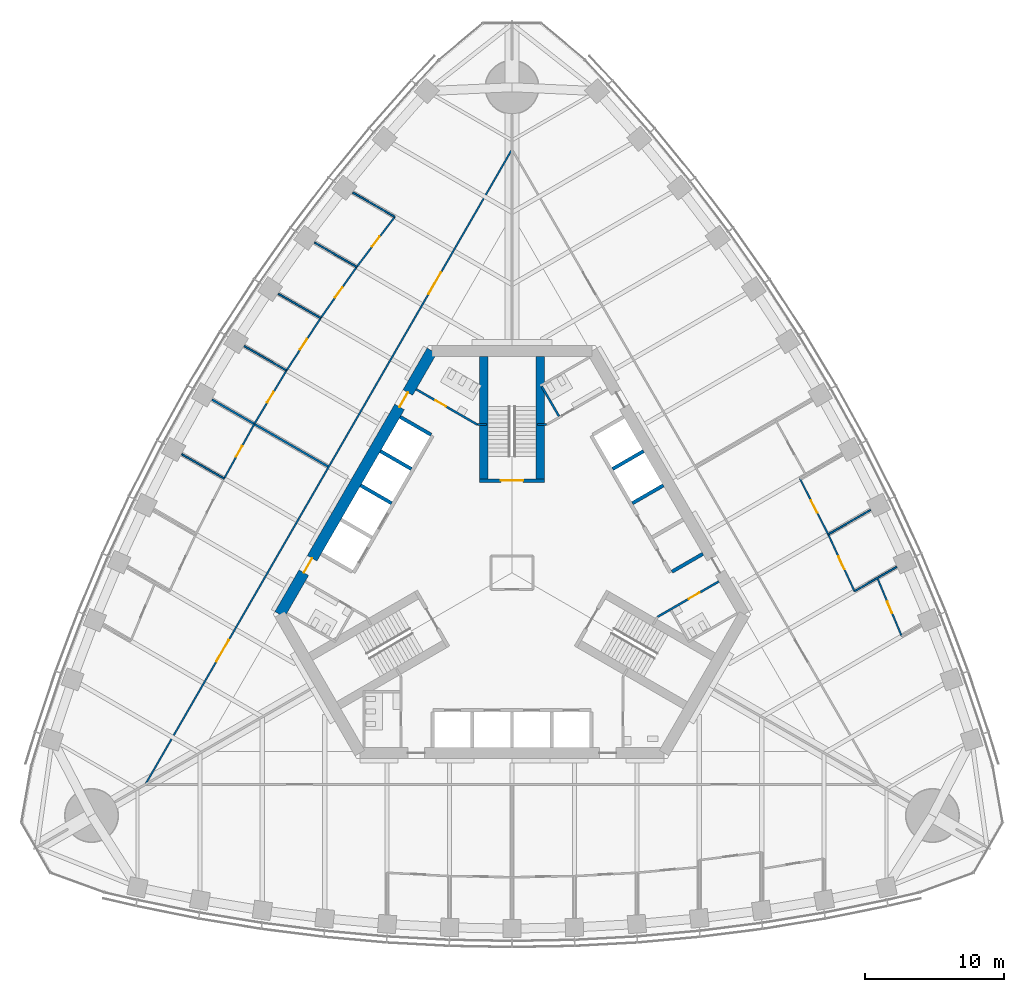
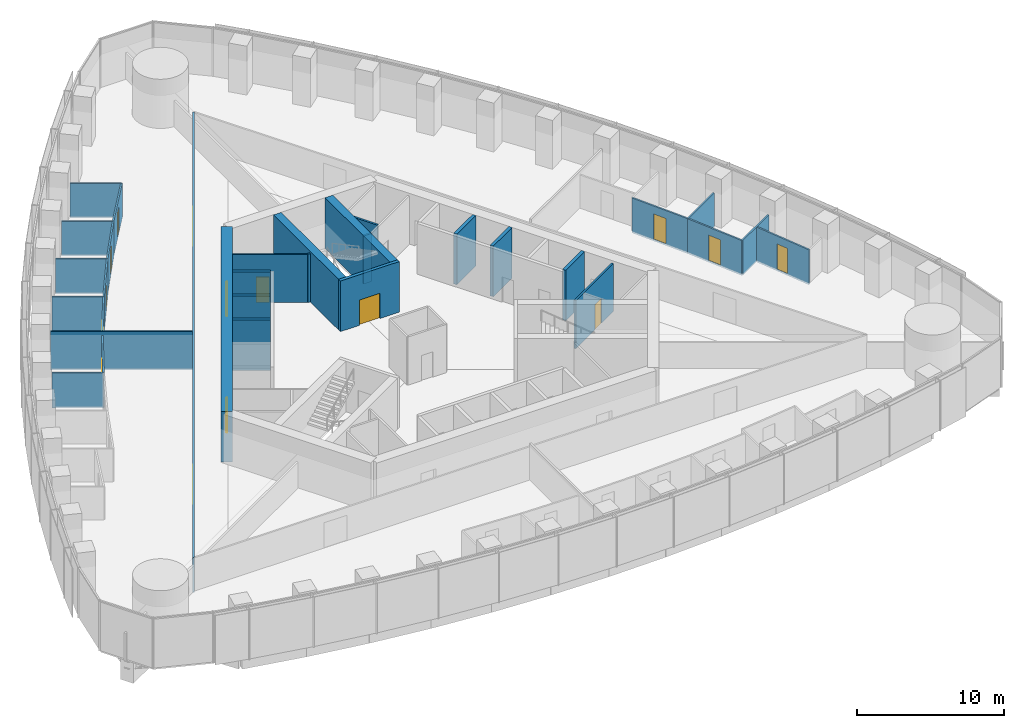
# One storey, part 13 of 19: 32 walls, 15 doors, 15 openings.
"""IFC4 building model written with IfcOpenShell, lengths in metres."""

from ifc_helpers import new_model, si_unit, direction, frame, frame_2d, origin, place, context, subcontext, project, spatial, rectangle, extrude, material, layer, layer_set, type_object, element, fill, save


model = new_model("IFC4")

# Units and contexts
model_context = context("Model", 3, precision=1e-05, world=origin(), true_north=direction((0.0, 1.0)))
body_context = subcontext(model_context, "Body", "Model", "MODEL_VIEW")
ifc_project = project(units=[si_unit("LENGTHUNIT", "METRE"), si_unit("AREAUNIT", "SQUARE_METRE"), si_unit("VOLUMEUNIT", "CUBIC_METRE"), si_unit("PLANEANGLEUNIT", "RADIAN"), si_unit("MASSUNIT", "GRAM", prefix="KILO")], contexts=[model_context])

# Site, building, storey
site_placement = place(None, origin())
site = spatial("IfcSite", under=ifc_project, at=site_placement, CompositionType="ELEMENT")
building_placement = place(site_placement, origin())
building = spatial("IfcBuilding", under=site, at=building_placement, Name="Trefoil Bronze Tower", CompositionType="ELEMENT")
storey_placement = place(building_placement, frame((0.0, 0.0, 132.5)))
storey = spatial("IfcBuildingStorey", under=building, at=storey_placement, Name="L30", CompositionType="ELEMENT", Elevation=132.5)

# Wall, openings, doors
ifc_material_1 = material(Name="Concrete B80", Category="concrete")
ifc_layer_1 = layer(ifc_material_1, 0.800048828125)
ifc_layer_set_1 = layer_set([ifc_layer_1], Name="Core wall 800")
wall_type_1 = type_object("IfcWallType", Name="Core wall 800", PredefinedType="SHEAR", material=ifc_layer_set_1)
wall_1_placement = place(storey_placement, frame((-5.7734375, 16.0, 0.0), z_axis=(0.0, 0.0, 1.0), x_axis=(-0.500002442456, -0.866023993627, 0.0)))
wall_1 = element("IfcWall", 1, at=wall_1_placement, inside=storey, type_object=wall_type_1, Name="Core long wall 3 L30", PredefinedType="SHEAR", context=body_context, shape_type="SweptSolid", body=[
    extrude(rectangle(XDim=21.939453125, YDim=0.800048828125, at=frame_2d((10.9697265625, 0.0))), origin(), (0.0, 0.0, 1.0), 4.199951171875),
])
opening_1_placement = place(wall_1_placement, frame((17.269775390625, 0.0, 0.0)))
opening_1 = element("IfcOpeningElement", 2, at=opening_1_placement, cuts=wall_1, Name="Opening D2", PredefinedType="OPENING", context=body_context, shape_type="SweptSolid", body=[
    extrude(rectangle(XDim=1.199951171875, YDim=2.10009765625, at=frame_2d((0.60009765625, 1.050048828125))), frame((0.0, 0.409912109375, 0.0), z_axis=(0.0, -1.0, 0.0), x_axis=(1.0, 0.0, 0.0)), (0.0, 0.0, 1.0), 0.820068359375),
])
opening_2_placement = place(wall_1_placement, frame((3.4697265625, 0.0, 0.0)))
opening_2 = element("IfcOpeningElement", 3, at=opening_2_placement, cuts=wall_1, Name="Opening D2", PredefinedType="OPENING", context=body_context, shape_type="SweptSolid", body=[
    extrude(rectangle(XDim=1.199951171875, YDim=2.10009765625, at=frame_2d((0.60009765625, 1.050048828125))), frame((0.0, 0.409912109375, 0.0), z_axis=(0.0, -1.0, 0.0), x_axis=(1.0, 0.0, 0.0)), (0.0, 0.0, 1.0), 0.820068359375),
])
ifc_material_2 = material(Name="Steel door", Category="steel")
door_type_1 = type_object("IfcDoorType", Name="Lobby door 1200", OperationType="SINGLE_SWING_RIGHT", PredefinedType="DOOR", material=ifc_material_2)
door_1_placement = place(opening_1_placement, origin())
door_1 = element("IfcDoor", 4, at=door_1_placement, inside=storey, type_object=door_type_1, Name="Lobby door F3+ L30", OperationType="SINGLE_SWING_RIGHT", OverallHeight=2.10009765625, OverallWidth=1.199951171875, PredefinedType="DOOR", context=body_context, shape_type="SweptSolid", body=[
    extrude(rectangle(XDim=1.199951171875, YDim=2.10009765625, at=frame_2d((0.60009765625, 1.050048828125))), frame((0.0, 0.02490234375, 0.0), z_axis=(0.0, -1.0, 0.0), x_axis=(1.0, 0.0, 0.0)), (0.0, 0.0, 1.0), 0.050048828125),
])
fill(opening_1, door_1)
door_2_placement = place(opening_2_placement, origin())
door_2 = element("IfcDoor", 5, at=door_2_placement, inside=storey, type_object=door_type_1, Name="Lobby door F3- L30", OperationType="SINGLE_SWING_LEFT", OverallHeight=2.10009765625, OverallWidth=1.199951171875, PredefinedType="DOOR", context=body_context, shape_type="SweptSolid", body=[
    extrude(rectangle(XDim=1.199951171875, YDim=2.10009765625, at=frame_2d((0.60009765625, 1.050048828125))), frame((0.0, 0.02490234375, 0.0), z_axis=(0.0, -1.0, 0.0), x_axis=(1.0, 0.0, 0.0)), (0.0, 0.0, 1.0), 0.050048828125),
])
fill(opening_2, door_2)

# Wall, opening, door
ifc_material_3 = material(Name="Glazed partition", Category="glass")
ifc_layer_2 = layer(ifc_material_3, 0.1201171875)
ifc_layer_set_2 = layer_set([ifc_layer_2], Name="Glazed partition 120")
wall_type_2 = type_object("IfcWallType", Name="Glazed partition 120", PredefinedType="PARTITIONING", material=ifc_layer_set_2)
wall_2_placement = place(storey_placement, frame((24.692138671875, -1.33251953125, 0.0), z_axis=(0.0, 0.0, 1.0), x_axis=(-0.41992827805, 0.90755729367, 0.0)))
wall_2 = element("IfcWall", 6, at=wall_2_placement, inside=storey, type_object=wall_type_2, Name="Partition F2 L30", PredefinedType="PARTITIONING", context=body_context, shape_type="SweptSolid", body=[
    extrude(rectangle(XDim=4.5185546875, YDim=0.1201171875, at=frame_2d((2.25927734375, 0.0))), origin(), (0.0, 0.0, 1.0), 2.89990234375),
])
opening_3_placement = place(wall_2_placement, frame((1.75, 0.0, 0.14990234375)))
opening_3 = element("IfcOpeningElement", 7, at=opening_3_placement, cuts=wall_2, Name="Opening D9", PredefinedType="OPENING", context=body_context, shape_type="SweptSolid", body=[
    extrude(rectangle(XDim=1.0, YDim=2.10009765625, at=frame_2d((0.5, 1.050048828125))), frame((0.0, 0.070068359375, 0.0), z_axis=(0.0, -1.0, 0.0), x_axis=(1.0, 0.0, 0.0)), (0.0, 0.0, 1.0), 0.14013671875),
])
ifc_material_4 = material(Name="Glazed timber door", Category="wood")
door_type_2 = type_object("IfcDoorType", Name="Meeting room door 1000", OperationType="SINGLE_SWING_LEFT", PredefinedType="DOOR", material=ifc_material_4)
door_3_placement = place(opening_3_placement, frame((1.0, 0.0, 0.0), z_axis=(0.0, 0.0, 1.0), x_axis=(-1.0, 0.0, 0.0)))
door_3 = element("IfcDoor", 8, at=door_3_placement, inside=storey, type_object=door_type_2, Name="Meeting room door F2 L30", OperationType="SINGLE_SWING_RIGHT", OverallHeight=2.10009765625, OverallWidth=1.0, PredefinedType="DOOR", context=body_context, shape_type="SweptSolid", body=[
    extrude(rectangle(XDim=1.0, YDim=2.10009765625, at=frame_2d((0.5, 1.050048828125))), frame((0.0, 0.02490234375, 0.0), z_axis=(0.0, -1.0, 0.0), x_axis=(1.0, 0.0, 0.0)), (0.0, 0.0, 1.0), 0.050048828125),
])
fill(opening_3, door_3)

wall_3_placement = place(storey_placement, frame((28.092041015625, -4.565673828125, 0.0), z_axis=(0.0, 0.0, 1.0), x_axis=(-0.386742917128, 0.92218757097, 0.0)))
wall_3 = element("IfcWall", 9, at=wall_3_placement, inside=storey, type_object=wall_type_2, Name="Partition F2 L30", PredefinedType="PARTITIONING", context=body_context, shape_type="SweptSolid", body=[
    extrude(rectangle(XDim=4.536376953125, YDim=0.1201171875, at=frame_2d((2.26806640625, 0.0))), origin(), (0.0, 0.0, 1.0), 2.89990234375),
])
opening_4_placement = place(wall_3_placement, frame((1.800048828125, 0.0, 0.14990234375)))
opening_4 = element("IfcOpeningElement", 10, at=opening_4_placement, cuts=wall_3, Name="Opening D8", PredefinedType="OPENING", context=body_context, shape_type="SweptSolid", body=[
    extrude(rectangle(XDim=0.89990234375, YDim=2.10009765625, at=frame_2d((0.449951171875, 1.050048828125))), frame((0.0, 0.070068359375, 0.0), z_axis=(0.0, -1.0, 0.0), x_axis=(1.0, 0.0, 0.0)), (0.0, 0.0, 1.0), 0.14013671875),
])
ifc_material_5 = material(Name="Timber door", Category="wood")
door_type_3 = type_object("IfcDoorType", Name="Office door 900", OperationType="SINGLE_SWING_LEFT", PredefinedType="DOOR", material=ifc_material_5)
door_4_placement = place(opening_4_placement, frame((0.89990234375, 0.0, 0.0), z_axis=(0.0, 0.0, 1.0), x_axis=(-1.0, 0.0, 0.0)))
door_4 = element("IfcDoor", 11, at=door_4_placement, inside=storey, type_object=door_type_3, Name="Print and store room door F2 L30", OperationType="SINGLE_SWING_RIGHT", OverallHeight=2.10009765625, OverallWidth=0.89990234375, PredefinedType="DOOR", context=body_context, shape_type="SweptSolid", body=[
    extrude(rectangle(XDim=0.89990234375, YDim=2.10009765625, at=frame_2d((0.449951171875, 1.050048828125))), frame((0.0, 0.02490234375, 0.0), z_axis=(0.0, -1.0, 0.0), x_axis=(1.0, 0.0, 0.0)), (0.0, 0.0, 1.0), 0.050048828125),
])
fill(opening_4, door_4)

wall_4_placement = place(storey_placement, frame((22.794677734375, 2.768310546875, 0.0), z_axis=(0.0, 0.0, 1.0), x_axis=(-0.452471679136, 0.891778772779, 0.0)))
wall_4 = element("IfcWall", 12, at=wall_4_placement, inside=storey, type_object=wall_type_2, Name="Partition F2 L30", PredefinedType="PARTITIONING", context=body_context, shape_type="SweptSolid", body=[
    extrude(rectangle(XDim=4.506591796875, YDim=0.1201171875, at=frame_2d((2.25341796875, 0.0))), origin(), (0.0, 0.0, 1.0), 2.89990234375),
])
opening_5_placement = place(wall_4_placement, frame((1.75, 0.0, 0.14990234375)))
opening_5 = element("IfcOpeningElement", 13, at=opening_5_placement, cuts=wall_4, Name="Opening D9", PredefinedType="OPENING", context=body_context, shape_type="SweptSolid", body=[
    extrude(rectangle(XDim=1.0, YDim=2.10009765625, at=frame_2d((0.5, 1.050048828125))), frame((0.0, 0.070068359375, 0.0), z_axis=(0.0, -1.0, 0.0), x_axis=(1.0, 0.0, 0.0)), (0.0, 0.0, 1.0), 0.14013671875),
])
door_5_placement = place(opening_5_placement, frame((1.0, 0.0, 0.0), z_axis=(0.0, 0.0, 1.0), x_axis=(-1.0, 0.0, 0.0)))
door_5 = element("IfcDoor", 14, at=door_5_placement, inside=storey, type_object=door_type_2, Name="Meeting room door F2 L30", OperationType="SINGLE_SWING_RIGHT", OverallHeight=2.10009765625, OverallWidth=1.0, PredefinedType="DOOR", context=body_context, shape_type="SweptSolid", body=[
    extrude(rectangle(XDim=1.0, YDim=2.10009765625, at=frame_2d((0.5, 1.050048828125))), frame((0.0, 0.02490234375, 0.0), z_axis=(0.0, -1.0, 0.0), x_axis=(1.0, 0.0, 0.0)), (0.0, 0.0, 1.0), 0.050048828125),
])
fill(opening_5, door_5)

# Walls
wall_5_placement = place(storey_placement, frame((24.692138671875, -1.33251953125, 0.0), z_axis=(0.0, 0.0, 1.0), x_axis=(0.86600959659, 0.500027377864, 0.0)))
element("IfcWall", 15, at=wall_5_placement, inside=storey, type_object=wall_type_2, Name="Partition F2 L30", PredefinedType="PARTITIONING", context=body_context, shape_type="SweptSolid", body=[
    extrude(rectangle(XDim=3.511474609375, YDim=0.1201171875, at=frame_2d((1.755859375, 0.0))), origin(), (0.0, 0.0, 1.0), 2.89990234375),
])
wall_6_placement = place(storey_placement, frame((22.794677734375, 2.768310546875, 0.0), z_axis=(0.0, 0.0, 1.0), x_axis=(0.866034119795, 0.499984903122, 0.0)))
element("IfcWall", 16, at=wall_6_placement, inside=storey, type_object=wall_type_2, Name="Partition F2 L30", PredefinedType="PARTITIONING", context=body_context, shape_type="SweptSolid", body=[
    extrude(rectangle(XDim=3.51611328125, YDim=0.1201171875, at=frame_2d((1.758056640625, 0.0))), origin(), (0.0, 0.0, 1.0), 2.89990234375),
])

# Wall, openings, doors
wall_7_placement = place(storey_placement, frame((-0.016357421875, 30.491455078125, 0.0), z_axis=(0.0, 0.0, 1.0), x_axis=(-0.50000091641, -0.866024874695, 0.0)))
wall_7 = element("IfcWall", 17, at=wall_7_placement, inside=storey, type_object=wall_type_2, Name="Partition F3 L30", PredefinedType="PARTITIONING", context=body_context, shape_type="SweptSolid", body=[
    extrude(rectangle(XDim=52.79638671875, YDim=0.1201171875, at=frame_2d((26.398193359375, 0.0))), origin(), (0.0, 0.0, 1.0), 2.89990234375),
])
opening_6_placement = place(wall_7_placement, frame((10.199951171875, 0.0, 0.14990234375)))
opening_6 = element("IfcOpeningElement", 18, at=opening_6_placement, cuts=wall_7, Name="Opening D10", PredefinedType="OPENING", context=body_context, shape_type="SweptSolid", body=[
    extrude(rectangle(XDim=1.800048828125, YDim=2.10009765625, at=frame_2d((0.89990234375, 1.050048828125))), frame((0.0, 0.070068359375, 0.0), z_axis=(0.0, -1.0, 0.0), x_axis=(1.0, 0.0, 0.0)), (0.0, 0.0, 1.0), 0.14013671875),
])
opening_7_placement = place(wall_7_placement, frame((40.800048828125, 0.0, 0.14990234375)))
opening_7 = element("IfcOpeningElement", 19, at=opening_7_placement, cuts=wall_7, Name="Opening D10", PredefinedType="OPENING", context=body_context, shape_type="SweptSolid", body=[
    extrude(rectangle(XDim=1.800048828125, YDim=2.10009765625, at=frame_2d((0.89990234375, 1.050048828125))), frame((0.0, 0.070068359375, 0.0), z_axis=(0.0, -1.0, 0.0), x_axis=(1.0, 0.0, 0.0)), (0.0, 0.0, 1.0), 0.14013671875),
])
ifc_material_6 = material(Name="Timber door", Category="wood")
door_type_4 = type_object("IfcDoorType", Name="Double door 1800", OperationType="DOUBLE_DOOR_SINGLE_SWING", PredefinedType="DOOR", material=ifc_material_6)
door_6_placement = place(opening_6_placement, origin())
door_6 = element("IfcDoor", 20, at=door_6_placement, inside=storey, type_object=door_type_4, Name="Corridor door F3 L30", OperationType="DOUBLE_DOOR_SINGLE_SWING", OverallHeight=2.10009765625, OverallWidth=1.800048828125, PredefinedType="DOOR", context=body_context, shape_type="SweptSolid", body=[
    extrude(rectangle(XDim=1.800048828125, YDim=2.10009765625, at=frame_2d((0.89990234375, 1.050048828125))), frame((0.0, 0.02490234375, 0.0), z_axis=(0.0, -1.0, 0.0), x_axis=(1.0, 0.0, 0.0)), (0.0, 0.0, 1.0), 0.050048828125),
])
fill(opening_6, door_6)
door_7_placement = place(opening_7_placement, origin())
door_7 = element("IfcDoor", 21, at=door_7_placement, inside=storey, type_object=door_type_4, Name="Corridor door F3 L30", OperationType="DOUBLE_DOOR_SINGLE_SWING", OverallHeight=2.10009765625, OverallWidth=1.800048828125, PredefinedType="DOOR", context=body_context, shape_type="SweptSolid", body=[
    extrude(rectangle(XDim=1.800048828125, YDim=2.10009765625, at=frame_2d((0.89990234375, 1.050048828125))), frame((0.0, 0.02490234375, 0.0), z_axis=(0.0, -1.0, 0.0), x_axis=(1.0, 0.0, 0.0)), (0.0, 0.0, 1.0), 0.050048828125),
])
fill(opening_7, door_7)

# Wall, opening, door
wall_8_placement = place(storey_placement, frame((-18.575927734375, 10.724853515625, 0.0), z_axis=(0.0, 0.0, 1.0), x_axis=(-0.484292898211, -0.874905931368, 0.0)))
wall_8 = element("IfcWall", 22, at=wall_8_placement, inside=storey, type_object=wall_type_2, Name="Partition F3 L30", PredefinedType="PARTITIONING", context=body_context, shape_type="SweptSolid", body=[
    extrude(rectangle(XDim=4.500732421875, YDim=0.1201171875, at=frame_2d((2.25048828125, 0.0))), origin(), (0.0, 0.0, 1.0), 2.89990234375),
])
opening_8_placement = place(wall_8_placement, frame((1.800048828125, 0.0, 0.14990234375)))
opening_8 = element("IfcOpeningElement", 23, at=opening_8_placement, cuts=wall_8, Name="Opening D8", PredefinedType="OPENING", context=body_context, shape_type="SweptSolid", body=[
    extrude(rectangle(XDim=0.89990234375, YDim=2.10009765625, at=frame_2d((0.449951171875, 1.050048828125))), frame((0.0, 0.070068359375, 0.0), z_axis=(0.0, -1.0, 0.0), x_axis=(1.0, 0.0, 0.0)), (0.0, 0.0, 1.0), 0.14013671875),
])
door_8_placement = place(opening_8_placement, frame((0.89990234375, 0.0, 0.0), z_axis=(0.0, 0.0, 1.0), x_axis=(-1.0, 0.0, 0.0)))
door_8 = element("IfcDoor", 24, at=door_8_placement, inside=storey, type_object=door_type_3, Name="Office door F3 L30", OperationType="SINGLE_SWING_RIGHT", OverallHeight=2.10009765625, OverallWidth=0.89990234375, PredefinedType="DOOR", context=body_context, shape_type="SweptSolid", body=[
    extrude(rectangle(XDim=0.89990234375, YDim=2.10009765625, at=frame_2d((0.449951171875, 1.050048828125))), frame((0.0, 0.02490234375, 0.0), z_axis=(0.0, -1.0, 0.0), x_axis=(1.0, 0.0, 0.0)), (0.0, 0.0, 1.0), 0.050048828125),
])
fill(opening_8, door_8)

wall_9_placement = place(storey_placement, frame((-11.192138671875, 22.05029296875, 0.0), z_axis=(0.0, 0.0, 1.0), x_axis=(-0.575987178736, -0.817458726745, 0.0)))
wall_9 = element("IfcWall", 25, at=wall_9_placement, inside=storey, type_object=wall_type_2, Name="Partition F3 L30", PredefinedType="PARTITIONING", context=body_context, shape_type="SweptSolid", body=[
    extrude(rectangle(XDim=4.518310546875, YDim=0.1201171875, at=frame_2d((2.25927734375, 0.0))), origin(), (0.0, 0.0, 1.0), 2.89990234375),
])
opening_9_placement = place(wall_9_placement, frame((1.800048828125, 0.0, 0.14990234375)))
opening_9 = element("IfcOpeningElement", 26, at=opening_9_placement, cuts=wall_9, Name="Opening D8", PredefinedType="OPENING", context=body_context, shape_type="SweptSolid", body=[
    extrude(rectangle(XDim=0.89990234375, YDim=2.10009765625, at=frame_2d((0.449951171875, 1.050048828125))), frame((0.0, 0.070068359375, 0.0), z_axis=(0.0, -1.0, 0.0), x_axis=(1.0, 0.0, 0.0)), (0.0, 0.0, 1.0), 0.14013671875),
])
door_9_placement = place(opening_9_placement, frame((0.89990234375, 0.0, 0.0), z_axis=(0.0, 0.0, 1.0), x_axis=(-1.0, 0.0, 0.0)))
door_9 = element("IfcDoor", 27, at=door_9_placement, inside=storey, type_object=door_type_3, Name="Office door F3 L30", OperationType="SINGLE_SWING_RIGHT", OverallHeight=2.10009765625, OverallWidth=0.89990234375, PredefinedType="DOOR", context=body_context, shape_type="SweptSolid", body=[
    extrude(rectangle(XDim=0.89990234375, YDim=2.10009765625, at=frame_2d((0.449951171875, 1.050048828125))), frame((0.0, 0.02490234375, 0.0), z_axis=(0.0, -1.0, 0.0), x_axis=(1.0, 0.0, 0.0)), (0.0, 0.0, 1.0), 0.050048828125),
])
fill(opening_9, door_9)

wall_10_placement = place(storey_placement, frame((-8.446533203125, 25.6611328125, 0.0), z_axis=(0.0, 0.0, 1.0), x_axis=(-0.605274299339, -0.796016973789, 0.0)))
wall_10 = element("IfcWall", 28, at=wall_10_placement, inside=storey, type_object=wall_type_2, Name="Partition F3 L30", PredefinedType="PARTITIONING", context=body_context, shape_type="SweptSolid", body=[
    extrude(rectangle(XDim=4.5361328125, YDim=0.1201171875, at=frame_2d((2.26806640625, 0.0))), origin(), (0.0, 0.0, 1.0), 2.89990234375),
])
opening_10_placement = place(wall_10_placement, frame((1.800048828125, 0.0, 0.14990234375)))
opening_10 = element("IfcOpeningElement", 29, at=opening_10_placement, cuts=wall_10, Name="Opening D8", PredefinedType="OPENING", context=body_context, shape_type="SweptSolid", body=[
    extrude(rectangle(XDim=0.89990234375, YDim=2.10009765625, at=frame_2d((0.449951171875, 1.050048828125))), frame((0.0, 0.070068359375, 0.0), z_axis=(0.0, -1.0, 0.0), x_axis=(1.0, 0.0, 0.0)), (0.0, 0.0, 1.0), 0.14013671875),
])
door_10_placement = place(opening_10_placement, frame((0.89990234375, 0.0, 0.0), z_axis=(0.0, 0.0, 1.0), x_axis=(-1.0, 0.0, 0.0)))
door_10 = element("IfcDoor", 30, at=door_10_placement, inside=storey, type_object=door_type_3, Name="Office door F3 L30", OperationType="SINGLE_SWING_RIGHT", OverallHeight=2.10009765625, OverallWidth=0.89990234375, PredefinedType="DOOR", context=body_context, shape_type="SweptSolid", body=[
    extrude(rectangle(XDim=0.89990234375, YDim=2.10009765625, at=frame_2d((0.449951171875, 1.050048828125))), frame((0.0, 0.02490234375, 0.0), z_axis=(0.0, -1.0, 0.0), x_axis=(1.0, 0.0, 0.0)), (0.0, 0.0, 1.0), 0.050048828125),
])
fill(opening_10, door_10)

wall_11_placement = place(storey_placement, frame((-16.255615234375, 14.581298828125, 0.0), z_axis=(0.0, 0.0, 1.0), x_axis=(-0.515548366618, -0.856860479703, 0.0)))
wall_11 = element("IfcWall", 31, at=wall_11_placement, inside=storey, type_object=wall_type_2, Name="Partition F3 L30", PredefinedType="PARTITIONING", context=body_context, shape_type="SweptSolid", body=[
    extrude(rectangle(XDim=4.500732421875, YDim=0.1201171875, at=frame_2d((2.25048828125, 0.0))), origin(), (0.0, 0.0, 1.0), 2.89990234375),
])
opening_11_placement = place(wall_11_placement, frame((1.800048828125, 0.0, 0.14990234375)))
opening_11 = element("IfcOpeningElement", 32, at=opening_11_placement, cuts=wall_11, Name="Opening D8", PredefinedType="OPENING", context=body_context, shape_type="SweptSolid", body=[
    extrude(rectangle(XDim=0.89990234375, YDim=2.10009765625, at=frame_2d((0.449951171875, 1.050048828125))), frame((0.0, 0.070068359375, 0.0), z_axis=(0.0, -1.0, 0.0), x_axis=(1.0, 0.0, 0.0)), (0.0, 0.0, 1.0), 0.14013671875),
])
door_11_placement = place(opening_11_placement, frame((0.89990234375, 0.0, 0.0), z_axis=(0.0, 0.0, 1.0), x_axis=(-1.0, 0.0, 0.0)))
door_11 = element("IfcDoor", 33, at=door_11_placement, inside=storey, type_object=door_type_3, Name="Office door F3 L30", OperationType="SINGLE_SWING_RIGHT", OverallHeight=2.10009765625, OverallWidth=0.89990234375, PredefinedType="DOOR", context=body_context, shape_type="SweptSolid", body=[
    extrude(rectangle(XDim=0.89990234375, YDim=2.10009765625, at=frame_2d((0.449951171875, 1.050048828125))), frame((0.0, 0.02490234375, 0.0), z_axis=(0.0, -1.0, 0.0), x_axis=(1.0, 0.0, 0.0)), (0.0, 0.0, 1.0), 0.050048828125),
])
fill(opening_11, door_11)

wall_12_placement = place(storey_placement, frame((-13.794677734375, 18.356689453125, 0.0), z_axis=(0.0, 0.0, 1.0), x_axis=(-0.546069464151, -0.837739900161, 0.0)))
wall_12 = element("IfcWall", 34, at=wall_12_placement, inside=storey, type_object=wall_type_2, Name="Partition F3 L30", PredefinedType="PARTITIONING", context=body_context, shape_type="SweptSolid", body=[
    extrude(rectangle(XDim=4.506591796875, YDim=0.1201171875, at=frame_2d((2.25341796875, 0.0))), origin(), (0.0, 0.0, 1.0), 2.89990234375),
])
opening_12_placement = place(wall_12_placement, frame((1.800048828125, 0.0, 0.14990234375)))
opening_12 = element("IfcOpeningElement", 35, at=opening_12_placement, cuts=wall_12, Name="Opening D8", PredefinedType="OPENING", context=body_context, shape_type="SweptSolid", body=[
    extrude(rectangle(XDim=0.89990234375, YDim=2.10009765625, at=frame_2d((0.449951171875, 1.050048828125))), frame((0.0, 0.070068359375, 0.0), z_axis=(0.0, -1.0, 0.0), x_axis=(1.0, 0.0, 0.0)), (0.0, 0.0, 1.0), 0.14013671875),
])
door_12_placement = place(opening_12_placement, frame((0.89990234375, 0.0, 0.0), z_axis=(0.0, 0.0, 1.0), x_axis=(-1.0, 0.0, 0.0)))
door_12 = element("IfcDoor", 36, at=door_12_placement, inside=storey, type_object=door_type_3, Name="Office door F3 L30", OperationType="SINGLE_SWING_RIGHT", OverallHeight=2.10009765625, OverallWidth=0.89990234375, PredefinedType="DOOR", context=body_context, shape_type="SweptSolid", body=[
    extrude(rectangle(XDim=0.89990234375, YDim=2.10009765625, at=frame_2d((0.449951171875, 1.050048828125))), frame((0.0, 0.02490234375, 0.0), z_axis=(0.0, -1.0, 0.0), x_axis=(1.0, 0.0, 0.0)), (0.0, 0.0, 1.0), 0.050048828125),
])
fill(opening_12, door_12)

# Walls
wall_13_placement = place(storey_placement, frame((-20.755615234375, 6.787109375, 0.0), z_axis=(0.0, 0.0, 1.0), x_axis=(-0.866027308682, 0.499996700606, 0.0)))
element("IfcWall", 37, at=wall_13_placement, inside=storey, type_object=wall_type_2, Name="Partition F3 L30", PredefinedType="PARTITIONING", context=body_context, shape_type="SweptSolid", body=[
    extrude(rectangle(XDim=3.51904296875, YDim=0.1201171875, at=frame_2d((1.759521484375, 0.0))), origin(), (0.0, 0.0, 1.0), 2.89990234375),
])
wall_14_placement = place(storey_placement, frame((-11.192138671875, 22.05029296875, 0.0), z_axis=(0.0, 0.0, 1.0), x_axis=(-0.866039702589, 0.499975232926, 0.0)))
element("IfcWall", 38, at=wall_14_placement, inside=storey, type_object=wall_type_2, Name="Partition F3 L30", PredefinedType="PARTITIONING", context=body_context, shape_type="SweptSolid", body=[
    extrude(rectangle(XDim=3.511474609375, YDim=0.1201171875, at=frame_2d((1.755859375, 0.0))), origin(), (0.0, 0.0, 1.0), 2.89990234375),
])
wall_15_placement = place(storey_placement, frame((-8.446533203125, 25.6611328125, 0.0), z_axis=(0.0, 0.0, 1.0), x_axis=(-0.865996479531, 0.50005009493, 0.0)))
element("IfcWall", 39, at=wall_15_placement, inside=storey, type_object=wall_type_2, Name="Partition F3 L30", PredefinedType="PARTITIONING", context=body_context, shape_type="SweptSolid", body=[
    extrude(rectangle(XDim=3.504638671875, YDim=0.1201171875, at=frame_2d((1.75244140625, 0.0))), origin(), (0.0, 0.0, 1.0), 2.89990234375),
])
wall_16_placement = place(storey_placement, frame((-16.255615234375, 14.581298828125, 0.0), z_axis=(0.0, 0.0, 1.0), x_axis=(-0.866027308682, 0.499996700606, 0.0)))
element("IfcWall", 40, at=wall_16_placement, inside=storey, type_object=wall_type_2, Name="Partition F3 L30", PredefinedType="PARTITIONING", context=body_context, shape_type="SweptSolid", body=[
    extrude(rectangle(XDim=3.51904296875, YDim=0.1201171875, at=frame_2d((1.759521484375, 0.0))), origin(), (0.0, 0.0, 1.0), 2.89990234375),
])
wall_17_placement = place(storey_placement, frame((-13.794677734375, 18.356689453125, 0.0), z_axis=(0.0, 0.0, 1.0), x_axis=(-0.866034119795, 0.499984903122, 0.0)))
element("IfcWall", 41, at=wall_17_placement, inside=storey, type_object=wall_type_2, Name="Partition F3 L30", PredefinedType="PARTITIONING", context=body_context, shape_type="SweptSolid", body=[
    extrude(rectangle(XDim=3.51611328125, YDim=0.1201171875, at=frame_2d((1.758056640625, 0.0))), origin(), (0.0, 0.0, 1.0), 2.89990234375),
])

# Wall, opening, door
ifc_material_7 = material(Name="Gypsum board on steel studs", Category="steel")
ifc_layer_3 = layer(ifc_material_7, 0.14990234375)
ifc_layer_set_3 = layer_set([ifc_layer_3], Name="Partition 150")
wall_type_3 = type_object("IfcWallType", Name="Partition 150", PredefinedType="PARTITIONING", material=ifc_layer_set_3)
wall_18_placement = place(storey_placement, frame((10.4951171875, -3.17822265625, 0.0), z_axis=(0.0, 0.0, 1.0), x_axis=(0.86602216432, 0.500005610874, 0.0)))
wall_18 = element("IfcWall", 42, at=wall_18_placement, inside=storey, type_object=wall_type_3, Name="Passage wall F2- L30", PredefinedType="PARTITIONING", context=body_context, shape_type="SweptSolid", body=[
    extrude(rectangle(XDim=5.10009765625, YDim=0.14990234375, at=frame_2d((2.550048828125, 0.0))), origin(), (0.0, 0.0, 1.0), 4.0),
])
opening_13_placement = place(wall_18_placement, frame((2.60009765625, 0.0, 0.0)))
opening_13 = element("IfcOpeningElement", 43, at=opening_13_placement, cuts=wall_18, Name="Opening D3", PredefinedType="OPENING", context=body_context, shape_type="SweptSolid", body=[
    extrude(rectangle(XDim=0.89990234375, YDim=2.10009765625, at=frame_2d((0.449951171875, 1.050048828125))), frame((0.0, 0.0849609375, 0.0), z_axis=(0.0, -1.0, 0.0), x_axis=(1.0, 0.0, 0.0)), (0.0, 0.0, 1.0), 0.169921875),
])
ifc_material_8 = material(Name="Timber door", Category="wood")
door_type_5 = type_object("IfcDoorType", Name="WC door 900", OperationType="SINGLE_SWING_LEFT", PredefinedType="DOOR", material=ifc_material_8)
door_13_placement = place(opening_13_placement, frame((0.89990234375, 0.0, 0.0), z_axis=(0.0, 0.0, 1.0), x_axis=(-1.0, 0.0, 0.0)))
door_13 = element("IfcDoor", 44, at=door_13_placement, inside=storey, type_object=door_type_5, Name="WC (women) door L30", OperationType="SINGLE_SWING_RIGHT", OverallHeight=2.10009765625, OverallWidth=0.89990234375, PredefinedType="DOOR", context=body_context, shape_type="SweptSolid", body=[
    extrude(rectangle(XDim=0.89990234375, YDim=2.10009765625, at=frame_2d((0.449951171875, 1.050048828125))), frame((0.0, 0.02490234375, 0.0), z_axis=(0.0, -1.0, 0.0), x_axis=(1.0, 0.0, 0.0)), (0.0, 0.0, 1.0), 0.050048828125),
])
fill(opening_13, door_13)

wall_19_placement = place(storey_placement, frame((-2.4951171875, 10.67822265625, 0.0), z_axis=(0.0, 0.0, 1.0), x_axis=(-0.86602216432, 0.500005610874, 0.0)))
wall_19 = element("IfcWall", 45, at=wall_19_placement, inside=storey, type_object=wall_type_3, Name="Passage wall F3- L30", PredefinedType="PARTITIONING", context=body_context, shape_type="SweptSolid", body=[
    extrude(rectangle(XDim=5.10009765625, YDim=0.14990234375, at=frame_2d((2.550048828125, 0.0))), origin(), (0.0, 0.0, 1.0), 4.0),
])
opening_14_placement = place(wall_19_placement, frame((2.60009765625, 0.0, 0.0)))
opening_14 = element("IfcOpeningElement", 46, at=opening_14_placement, cuts=wall_19, Name="Opening D3", PredefinedType="OPENING", context=body_context, shape_type="SweptSolid", body=[
    extrude(rectangle(XDim=0.89990234375, YDim=2.10009765625, at=frame_2d((0.449951171875, 1.050048828125))), frame((0.0, 0.0849609375, 0.0), z_axis=(0.0, -1.0, 0.0), x_axis=(1.0, 0.0, 0.0)), (0.0, 0.0, 1.0), 0.169921875),
])
door_14_placement = place(opening_14_placement, frame((0.89990234375, 0.0, 0.0), z_axis=(0.0, 0.0, 1.0), x_axis=(-1.0, 0.0, 0.0)))
door_14 = element("IfcDoor", 47, at=door_14_placement, inside=storey, type_object=door_type_5, Name="WC (women) door L30", OperationType="SINGLE_SWING_LEFT", OverallHeight=2.10009765625, OverallWidth=0.89990234375, PredefinedType="DOOR", context=body_context, shape_type="SweptSolid", body=[
    extrude(rectangle(XDim=0.89990234375, YDim=2.10009765625, at=frame_2d((0.449951171875, 1.050048828125))), frame((0.0, 0.02490234375, 0.0), z_axis=(0.0, -1.0, 0.0), x_axis=(1.0, 0.0, 0.0)), (0.0, 0.0, 1.0), 0.050048828125),
])
fill(opening_14, door_14)

# Walls
for number, where, z_axis, x_axis, name in (
    (48, (2.4951171875, 10.67822265625, 0.0), (0.0, 0.0, 1.0), (-1.0, 0.0, 0.0), "WC wall ST2-1 L30"),
    (49, (-2.4951171875, 10.67822265625, 0.0), (0.0, 0.0, 1.0), (1.0, 0.0, 0.0), "WC wall ST2+1 L30"),
):
    element("IfcWall", number, at=place(storey_placement, frame(where, z_axis=z_axis, x_axis=x_axis)), inside=storey, type_object=wall_type_3, Name=name, PredefinedType="PARTITIONING", context=body_context, shape_type="SweptSolid", body=[
        extrude(rectangle(XDim=0.64501953125, YDim=0.14990234375, at=frame_2d((0.322509765625, 0.0))), origin(), (0.0, 0.0, 1.0), 4.0),
    ])
wall_20_placement = place(storey_placement, frame((3.388671875, 11.28076171875, 0.0), z_axis=(0.0, 0.0, 1.0), x_axis=(-0.499989096993, 0.866031698547, 0.0)))
element("IfcWall", 50, at=wall_20_placement, inside=storey, type_object=wall_type_3, Name="WC partition WC (men) L30", PredefinedType="PARTITIONING", context=body_context, shape_type="SweptSolid", body=[
    extrude(rectangle(XDim=2.509765625, YDim=0.14990234375, at=frame_2d((1.2548828125, 0.0))), origin(), (0.0, 0.0, 1.0), 4.0),
])
ifc_material_9 = material(Name="Gypsum board on steel studs", Category="steel")
ifc_layer_4 = layer(ifc_material_9, 0.14990234375)
ifc_layer_set_4 = layer_set([ifc_layer_4], Name="Party wall 150")
wall_type_4 = type_object("IfcWallType", Name="Party wall 150", PredefinedType="PARTITIONING", material=ifc_layer_set_4)
wall_21_placement = place(storey_placement, frame((-13.267578125, 7.659912109375, 0.0), z_axis=(0.0, 0.0, 1.0), x_axis=(-0.866015788683, 0.500016653474, 0.0)))
element("IfcWall", 51, at=wall_21_placement, inside=storey, type_object=wall_type_4, Name="Demising wall F3 L30", PredefinedType="PARTITIONING", context=body_context, shape_type="SweptSolid", body=[
    extrude(rectangle(XDim=9.649658203125, YDim=0.14990234375, at=frame_2d((4.82470703125, 0.0))), origin(), (0.0, 0.0, 1.0), 3.199951171875),
])
ifc_material_10 = material(Name="Concrete B80", Category="concrete")
ifc_layer_5 = layer(ifc_material_10, 0.25)
ifc_layer_set_5 = layer_set([ifc_layer_5], Name="Shaft wall 250")
wall_type_5 = type_object("IfcWallType", Name="Shaft wall 250", PredefinedType="SHEAR", material=ifc_layer_set_5)
for number, where, z_axis, x_axis, name in (
    (52, (11.531982421875, 0.076171875, 0.0), (0.0, 0.0, 1.0), (0.866005588531, 0.500034319456, 0.0), "Lift shaft side wall B0 L30"),
    (53, (8.681884765625, 5.012451171875, 0.0), (0.0, 0.0, 1.0), (0.866005588531, 0.500034319456, 0.0), "Lift shaft side wall B2 L30"),
    (54, (7.2568359375, 7.480712890625, 0.0), (0.0, 0.0, 1.0), (0.866046643894, 0.499963209246, 0.0), "Lift shaft side wall B3 L30"),
):
    element("IfcWall", number, at=place(storey_placement, frame(where, z_axis=z_axis, x_axis=x_axis)), inside=storey, type_object=wall_type_5, Name=name, PredefinedType="SHEAR", context=body_context, shape_type="SweptSolid", body=[
        extrude(rectangle(XDim=2.574951171875, YDim=0.25, at=frame_2d((1.28759765625, 0.0))), origin(), (0.0, 0.0, 1.0), 4.199951171875),
    ])
wall_22_placement = place(storey_placement, frame((-5.831787109375, 9.94873046875, 0.0), z_axis=(0.0, 0.0, 1.0), x_axis=(-0.866029291668, 0.499993265928, 0.0)))
element("IfcWall", 55, at=wall_22_placement, inside=storey, type_object=wall_type_5, Name="Lift shaft side wall C0 L30", PredefinedType="SHEAR", context=body_context, shape_type="SweptSolid", body=[
    extrude(rectangle(XDim=2.5751953125, YDim=0.25, at=frame_2d((1.28759765625, 0.0))), origin(), (0.0, 0.0, 1.0), 4.199951171875),
])
for number, where, z_axis, x_axis, name in (
    (56, (-7.2568359375, 7.480712890625, 0.0), (0.0, 0.0, 1.0), (-0.866046643894, 0.499963209246, 0.0), "Lift shaft side wall C1 L30"),
    (57, (-8.681884765625, 5.012451171875, 0.0), (0.0, 0.0, 1.0), (-0.866005588531, 0.500034319456, 0.0), "Lift shaft side wall C2 L30"),
):
    element("IfcWall", number, at=place(storey_placement, frame(where, z_axis=z_axis, x_axis=x_axis)), inside=storey, type_object=wall_type_5, Name=name, PredefinedType="SHEAR", context=body_context, shape_type="SweptSolid", body=[
        extrude(rectangle(XDim=2.574951171875, YDim=0.25, at=frame_2d((1.28759765625, 0.0))), origin(), (0.0, 0.0, 1.0), 4.199951171875),
    ])

# Wall, opening, door
wall_23_placement = place(storey_placement, frame((2.324951171875, 6.64990234375, 0.0), z_axis=(0.0, 0.0, 1.0), x_axis=(-1.0, 0.0, 0.0)))
wall_23 = element("IfcWall", 58, at=wall_23_placement, inside=storey, type_object=wall_type_5, Name="Stair end wall ST2 L30", PredefinedType="SHEAR", context=body_context, shape_type="SweptSolid", body=[
    extrude(rectangle(XDim=4.64990234375, YDim=0.25, at=frame_2d((2.324951171875, 0.0))), origin(), (0.0, 0.0, 1.0), 4.199951171875),
])
opening_15_placement = place(wall_23_placement, frame((1.52490234375, 0.0, 0.0)))
opening_15 = element("IfcOpeningElement", 59, at=opening_15_placement, cuts=wall_23, Name="Opening D1", PredefinedType="OPENING", context=body_context, shape_type="SweptSolid", body=[
    extrude(rectangle(XDim=1.60009765625, YDim=2.10009765625, at=frame_2d((0.800048828125, 1.050048828125))), frame((0.0, 0.135009765625, 0.0), z_axis=(0.0, -1.0, 0.0), x_axis=(1.0, 0.0, 0.0)), (0.0, 0.0, 1.0), 0.27001953125),
])
ifc_material_11 = material(Name="Steel door", Category="steel")
door_type_6 = type_object("IfcDoorType", Name="Stair door 1600", OperationType="DOUBLE_DOOR_SINGLE_SWING", PredefinedType="DOOR", material=ifc_material_11)
door_15_placement = place(opening_15_placement, frame((1.60009765625, 0.0, 0.0), z_axis=(0.0, 0.0, 1.0), x_axis=(-1.0, 0.0, 0.0)))
door_15 = element("IfcDoor", 60, at=door_15_placement, inside=storey, type_object=door_type_6, Name="Stair door ST2 L30", OperationType="DOUBLE_DOOR_SINGLE_SWING", OverallHeight=2.10009765625, OverallWidth=1.60009765625, PredefinedType="DOOR", context=body_context, shape_type="SweptSolid", body=[
    extrude(rectangle(XDim=1.60009765625, YDim=2.10009765625, at=frame_2d((0.800048828125, 1.050048828125))), frame((0.0, 0.02490234375, 0.0), z_axis=(0.0, -1.0, 0.0), x_axis=(1.0, 0.0, 0.0)), (0.0, 0.0, 1.0), 0.050048828125),
])
fill(opening_15, door_15)

# Walls
ifc_material_12 = material(Name="Concrete B80", Category="concrete")
ifc_layer_6 = layer(ifc_material_12, 0.60009765625)
ifc_layer_set_6 = layer_set([ifc_layer_6], Name="Stair wall 600")
wall_type_6 = type_object("IfcWallType", Name="Stair wall 600", PredefinedType="SHEAR", material=ifc_layer_set_6)
for number, where, z_axis, x_axis, name in (
    (61, (2.02490234375, 6.52490234375, 0.0), (0.0, 0.0, 1.0), (0.0, 1.0, 0.0), "Stair wall ST2 L30"),
    (62, (-2.02490234375, 6.52490234375, 0.0), (0.0, 0.0, 1.0), (0.0, 1.0, 0.0), "Stair wall ST2 L30"),
):
    element("IfcWall", number, at=place(storey_placement, frame(where, z_axis=z_axis, x_axis=x_axis)), inside=storey, type_object=wall_type_6, Name=name, PredefinedType="SHEAR", context=body_context, shape_type="SweptSolid", body=[
        extrude(rectangle(XDim=9.0751953125, YDim=0.60009765625, at=frame_2d((4.53759765625, 0.0))), origin(), (0.0, 0.0, 1.0), 4.199951171875),
    ])

save(model, "model.ifc")
